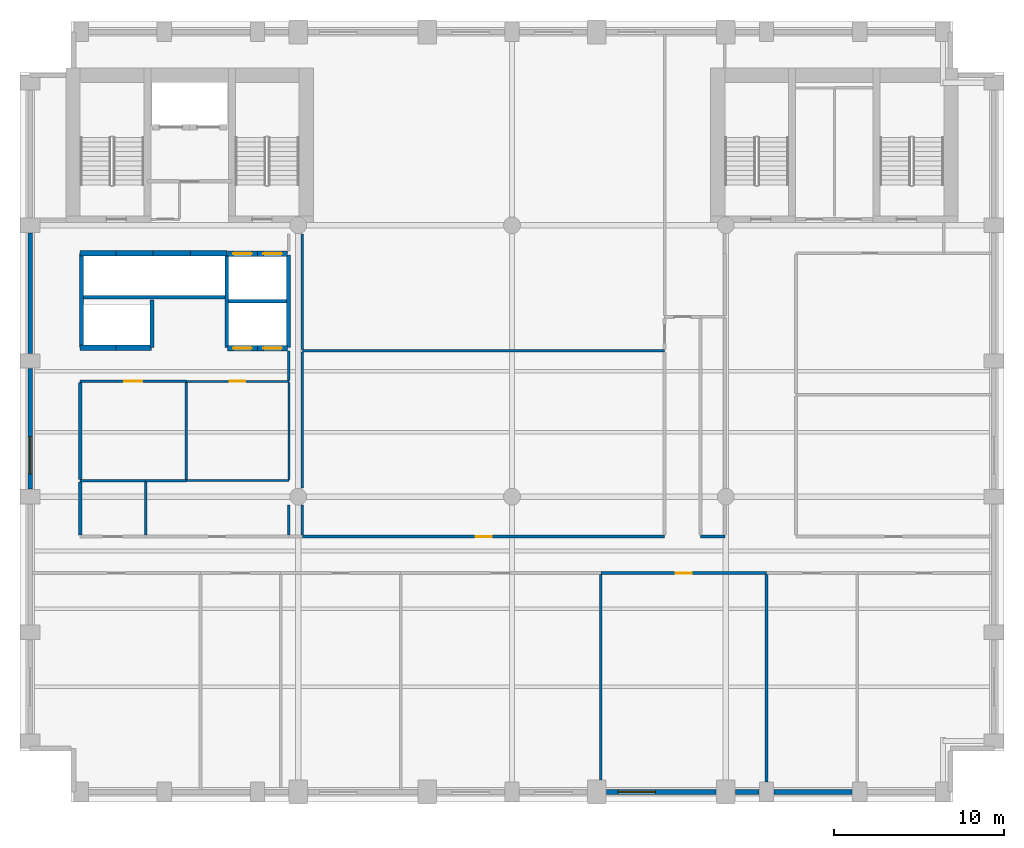
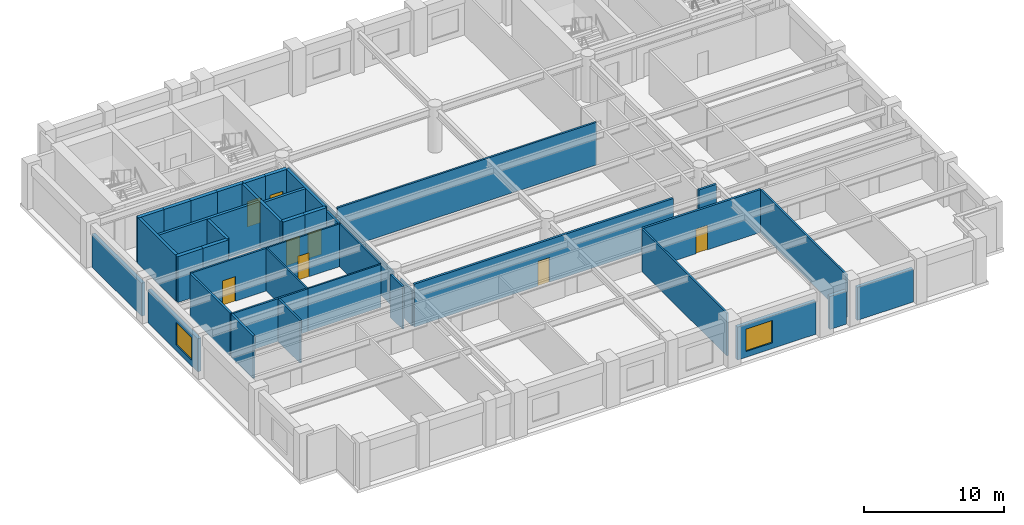
# One storey, part 3 of 8: 42 walls, 8 doors, 2 windows, 10 openings.
"""IFC4 building model written with IfcOpenShell, lengths in metres."""

from ifc_helpers import new_model, si_unit, direction, frame, frame_2d, origin, place, context, subcontext, project, spatial, rectangle, extrude, material, layer, layer_set, type_object, element, fill, save


model = new_model("IFC4")

# Units and contexts
model_context = context("Model", 3, precision=1e-05, world=origin(), true_north=direction((0.0, 1.0)))
body_context = subcontext(model_context, "Body", "Model", "MODEL_VIEW")
ifc_project = project(units=[si_unit("LENGTHUNIT", "METRE"), si_unit("AREAUNIT", "SQUARE_METRE"), si_unit("VOLUMEUNIT", "CUBIC_METRE"), si_unit("PLANEANGLEUNIT", "RADIAN"), si_unit("MASSUNIT", "GRAM", prefix="KILO")], contexts=[model_context])

# Site, building, storey
site_placement = place(None, origin())
site = spatial("IfcSite", under=ifc_project, at=site_placement, CompositionType="ELEMENT")
building_placement = place(site_placement, origin())
building = spatial("IfcBuilding", under=site, at=building_placement, Name="Sulina Concourse Tower", CompositionType="ELEMENT")
storey_placement = place(building_placement, frame((0.0, 0.0, 124.60009765625)))
storey = spatial("IfcBuildingStorey", under=building, at=storey_placement, Name="L30", CompositionType="ELEMENT", Elevation=124.60009765625)

# Walls
ifc_material_1 = material(Name="Concrete C50/60", Category="concrete")
ifc_layer_1 = layer(ifc_material_1, 0.219970703125)
ifc_layer_set_1 = layer_set([ifc_layer_1], Name="Concrete C50/60")
wall_type_1 = type_object("IfcWallType", Name="Core Lift Hoistway Divider Wall 220mm", PredefinedType="SOLIDWALL", material=ifc_layer_set_1)
wall_1_placement = place(storey_placement, frame((3.550048828125, 29.75, 0.0), z_axis=(0.0, 0.0, 1.0), x_axis=(1.0, 0.0, 0.0)))
element("IfcWall", 1, at=wall_1_placement, inside=storey, type_object=wall_type_1, Name="L30 shaft divider wall HW-LP3-S", PredefinedType="SOLIDWALL", context=body_context, shape_type="SweptSolid", body=[
    extrude(rectangle(XDim=8.64990234375, YDim=0.219970703125, at=frame_2d((4.324951171875, 0.0))), origin(), (0.0, 0.0, 1.0), 4.0),
])
wall_2_placement = place(storey_placement, frame((3.6298828125, 26.800048828125, 0.0), z_axis=(0.0, 0.0, 1.0), x_axis=(0.0, 1.0, 0.0)))
element("IfcWall", 2, at=wall_2_placement, inside=storey, type_object=wall_type_1, Name="L30 shaft divider wall HW-LP3-W", PredefinedType="SOLIDWALL", context=body_context, shape_type="SweptSolid", body=[
    extrude(rectangle(XDim=5.550048828125, YDim=0.219970703125, at=frame_2d((2.77490234375, 0.0))), origin(), (0.0, 0.0, 1.0), 4.0),
])
wall_3_placement = place(storey_placement, frame((7.780029296875, 26.800048828125, 0.0), z_axis=(0.0, 0.0, 1.0), x_axis=(0.0, 1.0, 0.0)))
element("IfcWall", 3, at=wall_3_placement, inside=storey, type_object=wall_type_1, Name="L30 shaft divider wall HW-EXP-E", PredefinedType="SOLIDWALL", context=body_context, shape_type="SweptSolid", body=[
    extrude(rectangle(XDim=2.800048828125, YDim=0.219970703125, at=frame_2d((1.39990234375, 0.0))), origin(), (0.0, 0.0, 1.0), 4.0),
])
for number, where, z_axis, x_axis, name in (
    (4, (12.179931640625, 26.800048828125, 0.0), (0.0, 0.0, 1.0), (0.0, 1.0, 0.0), "L30 shaft divider wall HW-LP2-W"),
    (5, (15.820068359375, 26.800048828125, 0.0), (0.0, 0.0, 1.0), (0.0, 1.0, 0.0), "L30 shaft divider wall HW-LP2-E"),
):
    element("IfcWall", number, at=place(storey_placement, frame(where, z_axis=z_axis, x_axis=x_axis)), inside=storey, type_object=wall_type_1, Name=name, PredefinedType="SOLIDWALL", context=body_context, shape_type="SweptSolid", body=[
        extrude(rectangle(XDim=5.449951171875, YDim=0.219970703125, at=frame_2d((2.72509765625, 0.0))), origin(), (0.0, 0.0, 1.0), 4.0),
    ])
wall_4_placement = place(storey_placement, frame((12.300048828125, 29.52001953125, 0.0), z_axis=(0.0, 0.0, 1.0), x_axis=(1.0, 0.0, 0.0)))
element("IfcWall", 6, at=wall_4_placement, inside=storey, type_object=wall_type_1, Name="L30 shaft divider wall HW-LP2-M", PredefinedType="SOLIDWALL", context=body_context, shape_type="SweptSolid", body=[
    extrude(rectangle(XDim=3.39990234375, YDim=0.219970703125, at=frame_2d((1.699951171875, 0.0))), origin(), (0.0, 0.0, 1.0), 4.0),
])

# Wall, opening, door
ifc_material_2 = material(Name="Concrete C50/60", Category="concrete")
ifc_layer_2 = layer(ifc_material_2, 0.300048828125)
ifc_layer_set_2 = layer_set([ifc_layer_2], Name="Concrete C50/60")
wall_type_2 = type_object("IfcWallType", Name="Core Lift Hoistway Wall 300mm", PredefinedType="SOLIDWALL", material=ifc_layer_set_2)
wall_5_placement = place(storey_placement, frame((14.0, 26.75, 0.0), z_axis=(0.0, 0.0, 1.0), x_axis=(-1.0, 0.0, 0.0)))
wall_5 = element("IfcWall", 7, at=wall_5_placement, inside=storey, type_object=wall_type_2, Name="L30 hoistway enclosure wall LP-05", PredefinedType="SOLIDWALL", context=body_context, shape_type="SweptSolid", body=[
    extrude(rectangle(XDim=1.780029296875, YDim=0.300048828125, at=frame_2d((0.89013671875, 0.0))), origin(), (0.0, 0.0, 1.0), 4.0),
])
opening_1_placement = place(wall_5_placement, frame((0.340087890625, 0.0, 0.0)))
opening_1 = element("IfcOpeningElement", 8, at=opening_1_placement, cuts=wall_5, Name="Opening LD-01", PredefinedType="OPENING", context=body_context, shape_type="SweptSolid", body=[
    extrude(rectangle(XDim=1.10009765625, YDim=2.199951171875, at=frame_2d((0.550048828125, 1.10009765625))), frame((0.0, 0.159912109375, 0.0), z_axis=(0.0, -1.0, 0.0), x_axis=(1.0, 0.0, 0.0)), (0.0, 0.0, 1.0), 0.320068359375),
])
ifc_material_3 = material(Name="Stainless steel lift landing door", Category="steel")
ifc_layer_3 = layer(ifc_material_3, 0.050048828125)
ifc_layer_set_3 = layer_set([ifc_layer_3], Name="Stainless steel lift landing door")
door_type_1 = type_object("IfcDoorType", Name="Passenger Lift Sliding Landing Door 1100x2200", OperationType="SLIDING_TO_LEFT", PredefinedType="DOOR", material=ifc_layer_set_3)
door_1_placement = place(opening_1_placement, origin())
door_1 = element("IfcDoor", 9, at=door_1_placement, inside=storey, type_object=door_type_1, Name="L30 lift landing sliding door LP-05", OperationType="SLIDING_TO_LEFT", OverallHeight=2.199951171875, OverallWidth=1.10009765625, PredefinedType="DOOR", context=body_context, shape_type="SweptSolid", body=[
    extrude(rectangle(XDim=1.10009765625, YDim=2.199951171875, at=frame_2d((0.550048828125, 1.10009765625))), frame((0.0, 0.02490234375, 0.0), z_axis=(0.0, -1.0, 0.0), x_axis=(1.0, 0.0, 0.0)), (0.0, 0.0, 1.0), 0.050048828125),
])
fill(opening_1, door_1)

wall_6_placement = place(storey_placement, frame((15.780029296875, 26.75, 0.0), z_axis=(0.0, 0.0, 1.0), x_axis=(-1.0, 0.0, 0.0)))
wall_6 = element("IfcWall", 10, at=wall_6_placement, inside=storey, type_object=wall_type_2, Name="L30 hoistway enclosure wall LP-06", PredefinedType="SOLIDWALL", context=body_context, shape_type="SweptSolid", body=[
    extrude(rectangle(XDim=1.780029296875, YDim=0.300048828125, at=frame_2d((0.89013671875, 0.0))), origin(), (0.0, 0.0, 1.0), 4.0),
])
opening_2_placement = place(wall_6_placement, frame((0.340087890625, 0.0, 0.0)))
opening_2 = element("IfcOpeningElement", 11, at=opening_2_placement, cuts=wall_6, Name="Opening LD-01", PredefinedType="OPENING", context=body_context, shape_type="SweptSolid", body=[
    extrude(rectangle(XDim=1.10009765625, YDim=2.199951171875, at=frame_2d((0.550048828125, 1.10009765625))), frame((0.0, 0.159912109375, 0.0), z_axis=(0.0, -1.0, 0.0), x_axis=(1.0, 0.0, 0.0)), (0.0, 0.0, 1.0), 0.320068359375),
])
door_2_placement = place(opening_2_placement, origin())
door_2 = element("IfcDoor", 12, at=door_2_placement, inside=storey, type_object=door_type_1, Name="L30 lift landing sliding door LP-06", OperationType="SLIDING_TO_RIGHT", OverallHeight=2.199951171875, OverallWidth=1.10009765625, PredefinedType="DOOR", context=body_context, shape_type="SweptSolid", body=[
    extrude(rectangle(XDim=1.10009765625, YDim=2.199951171875, at=frame_2d((0.550048828125, 1.10009765625))), frame((0.0, 0.02490234375, 0.0), z_axis=(0.0, -1.0, 0.0), x_axis=(1.0, 0.0, 0.0)), (0.0, 0.0, 1.0), 0.050048828125),
])
fill(opening_2, door_2)

wall_7_placement = place(storey_placement, frame((12.219970703125, 32.320068359375, 0.0), z_axis=(0.0, 0.0, 1.0), x_axis=(1.0, 0.0, 0.0)))
wall_7 = element("IfcWall", 13, at=wall_7_placement, inside=storey, type_object=wall_type_2, Name="L30 hoistway enclosure wall LP-07", PredefinedType="SOLIDWALL", context=body_context, shape_type="SweptSolid", body=[
    extrude(rectangle(XDim=1.780029296875, YDim=0.300048828125, at=frame_2d((0.89013671875, 0.0))), origin(), (0.0, 0.0, 1.0), 4.0),
])
opening_3_placement = place(wall_7_placement, frame((0.340087890625, 0.0, 0.0)))
opening_3 = element("IfcOpeningElement", 14, at=opening_3_placement, cuts=wall_7, Name="Opening LD-01", PredefinedType="OPENING", context=body_context, shape_type="SweptSolid", body=[
    extrude(rectangle(XDim=1.10009765625, YDim=2.199951171875, at=frame_2d((0.550048828125, 1.10009765625))), frame((0.0, 0.159912109375, 0.0), z_axis=(0.0, -1.0, 0.0), x_axis=(1.0, 0.0, 0.0)), (0.0, 0.0, 1.0), 0.320068359375),
])
door_3_placement = place(opening_3_placement, origin())
door_3 = element("IfcDoor", 15, at=door_3_placement, inside=storey, type_object=door_type_1, Name="L30 lift landing sliding door LP-07", OperationType="SLIDING_TO_LEFT", OverallHeight=2.199951171875, OverallWidth=1.10009765625, PredefinedType="DOOR", context=body_context, shape_type="SweptSolid", body=[
    extrude(rectangle(XDim=1.10009765625, YDim=2.199951171875, at=frame_2d((0.550048828125, 1.10009765625))), frame((0.0, 0.02490234375, 0.0), z_axis=(0.0, -1.0, 0.0), x_axis=(1.0, 0.0, 0.0)), (0.0, 0.0, 1.0), 0.050048828125),
])
fill(opening_3, door_3)

wall_8_placement = place(storey_placement, frame((14.0, 32.320068359375, 0.0), z_axis=(0.0, 0.0, 1.0), x_axis=(1.0, 0.0, 0.0)))
wall_8 = element("IfcWall", 16, at=wall_8_placement, inside=storey, type_object=wall_type_2, Name="L30 hoistway enclosure wall LP-08", PredefinedType="SOLIDWALL", context=body_context, shape_type="SweptSolid", body=[
    extrude(rectangle(XDim=1.780029296875, YDim=0.300048828125, at=frame_2d((0.89013671875, 0.0))), origin(), (0.0, 0.0, 1.0), 4.0),
])
opening_4_placement = place(wall_8_placement, frame((0.340087890625, 0.0, 0.0)))
opening_4 = element("IfcOpeningElement", 17, at=opening_4_placement, cuts=wall_8, Name="Opening LD-01", PredefinedType="OPENING", context=body_context, shape_type="SweptSolid", body=[
    extrude(rectangle(XDim=1.10009765625, YDim=2.199951171875, at=frame_2d((0.550048828125, 1.10009765625))), frame((0.0, 0.159912109375, 0.0), z_axis=(0.0, -1.0, 0.0), x_axis=(1.0, 0.0, 0.0)), (0.0, 0.0, 1.0), 0.320068359375),
])
door_4_placement = place(opening_4_placement, origin())
door_4 = element("IfcDoor", 18, at=door_4_placement, inside=storey, type_object=door_type_1, Name="L30 lift landing sliding door LP-08", OperationType="SLIDING_TO_RIGHT", OverallHeight=2.199951171875, OverallWidth=1.10009765625, PredefinedType="DOOR", context=body_context, shape_type="SweptSolid", body=[
    extrude(rectangle(XDim=1.10009765625, YDim=2.199951171875, at=frame_2d((0.550048828125, 1.10009765625))), frame((0.0, 0.02490234375, 0.0), z_axis=(0.0, -1.0, 0.0), x_axis=(1.0, 0.0, 0.0)), (0.0, 0.0, 1.0), 0.050048828125),
])
fill(opening_4, door_4)

# Walls
wall_9_placement = place(storey_placement, frame((3.550048828125, 32.35009765625, 0.0), z_axis=(0.0, 0.0, 1.0), x_axis=(1.0, 0.0, 0.0)))
element("IfcWall", 19, at=wall_9_placement, inside=storey, type_object=wall_type_2, Name="L30 hoistway enclosure wall LP-09", PredefinedType="SOLIDWALL", context=body_context, shape_type="SweptSolid", body=[
    extrude(rectangle(XDim=2.099853515625, YDim=0.300048828125, at=frame_2d((1.0498046875, 0.0))), origin(), (0.0, 0.0, 1.0), 4.0),
])
wall_10_placement = place(storey_placement, frame((5.64990234375, 32.35009765625, 0.0), z_axis=(0.0, 0.0, 1.0), x_axis=(1.0, 0.0, 0.0)))
element("IfcWall", 20, at=wall_10_placement, inside=storey, type_object=wall_type_2, Name="L30 hoistway enclosure wall LP-10", PredefinedType="SOLIDWALL", context=body_context, shape_type="SweptSolid", body=[
    extrude(rectangle(XDim=2.2001953125, YDim=0.300048828125, at=frame_2d((1.10009765625, 0.0))), origin(), (0.0, 0.0, 1.0), 4.0),
])
wall_11_placement = place(storey_placement, frame((7.85009765625, 32.35009765625, 0.0), z_axis=(0.0, 0.0, 1.0), x_axis=(1.0, 0.0, 0.0)))
element("IfcWall", 21, at=wall_11_placement, inside=storey, type_object=wall_type_2, Name="L30 hoistway enclosure wall LP-11", PredefinedType="SOLIDWALL", context=body_context, shape_type="SweptSolid", body=[
    extrude(rectangle(XDim=2.199951171875, YDim=0.300048828125, at=frame_2d((1.10009765625, 0.0))), origin(), (0.0, 0.0, 1.0), 4.0),
])
wall_12_placement = place(storey_placement, frame((10.050048828125, 32.35009765625, 0.0), z_axis=(0.0, 0.0, 1.0), x_axis=(1.0, 0.0, 0.0)))
element("IfcWall", 22, at=wall_12_placement, inside=storey, type_object=wall_type_2, Name="L30 hoistway enclosure wall LP-12", PredefinedType="SOLIDWALL", context=body_context, shape_type="SweptSolid", body=[
    extrude(rectangle(XDim=2.14990234375, YDim=0.300048828125, at=frame_2d((1.074951171875, 0.0))), origin(), (0.0, 0.0, 1.0), 4.0),
])
wall_13_placement = place(storey_placement, frame((5.64990234375, 26.780029296875, 0.0), z_axis=(0.0, 0.0, 1.0), x_axis=(-1.0, 0.0, 0.0)))
element("IfcWall", 23, at=wall_13_placement, inside=storey, type_object=wall_type_2, Name="L30 hoistway enclosure wall EXP-1", PredefinedType="SOLIDWALL", context=body_context, shape_type="SweptSolid", body=[
    extrude(rectangle(XDim=2.099853515625, YDim=0.300048828125, at=frame_2d((1.0498046875, 0.0))), origin(), (0.0, 0.0, 1.0), 4.0),
])
wall_14_placement = place(storey_placement, frame((7.75, 26.780029296875, 0.0), z_axis=(0.0, 0.0, 1.0), x_axis=(-1.0, 0.0, 0.0)))
element("IfcWall", 24, at=wall_14_placement, inside=storey, type_object=wall_type_2, Name="L30 hoistway enclosure wall EXP-2", PredefinedType="SOLIDWALL", context=body_context, shape_type="SweptSolid", body=[
    extrude(rectangle(XDim=2.10009765625, YDim=0.300048828125, at=frame_2d((1.050048828125, 0.0))), origin(), (0.0, 0.0, 1.0), 4.0),
])
ifc_material_4 = material(Name="Gypsum board on steel stud", Category="steel")
ifc_layer_4 = layer(ifc_material_4, 0.14990234375)
ifc_layer_set_4 = layer_set([ifc_layer_4], Name="Gypsum board on steel stud")
wall_type_3 = type_object("IfcWallType", Name="Inter-Tenancy Acoustic Partition 150mm", PredefinedType="PARTITIONING", material=ifc_layer_set_4)
wall_15_placement = place(storey_placement, frame((3.550048828125, 18.949951171875, 0.0), z_axis=(0.0, 0.0, 1.0), x_axis=(1.0, 0.0, 0.0)))
element("IfcWall", 25, at=wall_15_placement, inside=storey, type_object=wall_type_3, Name="L30 interior partition 014", PredefinedType="PARTITIONING", context=body_context, shape_type="SweptSolid", body=[
    extrude(rectangle(XDim=3.849853515625, YDim=0.14990234375, at=frame_2d((1.9248046875, 0.0))), origin(), (0.0, 0.0, 1.0), 3.724853515625),
])
wall_16_placement = place(storey_placement, frame((7.39990234375, 18.949951171875, 0.0), z_axis=(0.0, 0.0, 1.0), x_axis=(1.0, 0.0, 0.0)))
element("IfcWall", 26, at=wall_16_placement, inside=storey, type_object=wall_type_3, Name="L30 interior partition 015", PredefinedType="PARTITIONING", context=body_context, shape_type="SweptSolid", body=[
    extrude(rectangle(XDim=2.400146484375, YDim=0.14990234375, at=frame_2d((1.2001953125, 0.0))), origin(), (0.0, 0.0, 1.0), 3.724853515625),
])

# Wall, opening, door
wall_17_placement = place(storey_placement, frame((3.550048828125, 24.800048828125, 0.0), z_axis=(0.0, 0.0, 1.0), x_axis=(1.0, 0.0, 0.0)))
wall_17 = element("IfcWall", 27, at=wall_17_placement, inside=storey, type_object=wall_type_3, Name="L30 interior partition 018", PredefinedType="PARTITIONING", context=body_context, shape_type="SweptSolid", body=[
    extrude(rectangle(XDim=6.25, YDim=0.14990234375, at=frame_2d((3.125, 0.0))), origin(), (0.0, 0.0, 1.0), 3.724853515625),
])
opening_5_placement = place(wall_17_placement, frame((2.60009765625, 0.0, 0.0)))
opening_5 = element("IfcOpeningElement", 28, at=opening_5_placement, cuts=wall_17, Name="Opening DR-37", PredefinedType="OPENING", context=body_context, shape_type="SweptSolid", body=[
    extrude(rectangle(XDim=1.050048828125, YDim=2.14990234375, at=frame_2d((0.52490234375, 1.074951171875))), frame((0.0, 0.0849609375, 0.0), z_axis=(0.0, -1.0, 0.0), x_axis=(1.0, 0.0, 0.0)), (0.0, 0.0, 1.0), 0.169921875),
])
ifc_material_5 = material(Name="Oak-veneered fire door leaf")
ifc_layer_5 = layer(ifc_material_5, 0.050048828125)
ifc_layer_set_5 = layer_set([ifc_layer_5], Name="Oak-veneered fire door leaf")
door_type_2 = type_object("IfcDoorType", Name="Tenant Suite Entrance Fire Door 1050x2150", OperationType="NOTDEFINED", PredefinedType="DOOR", material=ifc_layer_set_5)
door_5_placement = place(opening_5_placement, origin())
door_5 = element("IfcDoor", 29, at=door_5_placement, inside=storey, type_object=door_type_2, Name="L30 interior door L30-LR-MRG1", OperationType="SINGLE_SWING_LEFT", OverallHeight=2.14990234375, OverallWidth=1.050048828125, PredefinedType="DOOR", context=body_context, shape_type="SweptSolid", body=[
    extrude(rectangle(XDim=1.050048828125, YDim=2.14990234375, at=frame_2d((0.52490234375, 1.074951171875))), frame((0.0, 0.02490234375, 0.0), z_axis=(0.0, -1.0, 0.0), x_axis=(1.0, 0.0, 0.0)), (0.0, 0.0, 1.0), 0.050048828125),
])
fill(opening_5, door_5)

# Walls
wall_18_placement = place(storey_placement, frame((16.64990234375, 26.60009765625, 0.0), z_axis=(0.0, 0.0, 1.0), x_axis=(1.0, 0.0, 0.0)))
element("IfcWall", 30, at=wall_18_placement, inside=storey, type_object=wall_type_3, Name="L30 interior partition 020", PredefinedType="PARTITIONING", context=body_context, shape_type="SweptSolid", body=[
    extrude(rectangle(XDim=21.35009765625, YDim=0.14990234375, at=frame_2d((10.675048828125, 0.0))), origin(), (0.0, 0.0, 1.0), 3.724853515625),
])
wall_19_placement = place(storey_placement, frame((7.39990234375, 15.739990234375, 0.0), z_axis=(0.0, 0.0, 1.0), x_axis=(0.0, 1.0, 0.0)))
element("IfcWall", 31, at=wall_19_placement, inside=storey, type_object=wall_type_3, Name="L30 interior partition 031", PredefinedType="PARTITIONING", context=body_context, shape_type="SweptSolid", body=[
    extrude(rectangle(XDim=3.135009765625, YDim=0.14990234375, at=frame_2d((1.5673828125, 0.0))), origin(), (0.0, 0.0, 1.0), 3.724853515625),
])
wall_20_placement = place(storey_placement, frame((15.85009765625, 15.739990234375, 0.0), z_axis=(0.0, 0.0, 1.0), x_axis=(0.0, 1.0, 0.0)))
element("IfcWall", 32, at=wall_20_placement, inside=storey, type_object=wall_type_3, Name="L30 interior partition 036", PredefinedType="PARTITIONING", context=body_context, shape_type="SweptSolid", body=[
    extrude(rectangle(XDim=1.760009765625, YDim=0.14990234375, at=frame_2d((0.8798828125, 0.0))), origin(), (0.0, 0.0, 1.0), 3.724853515625),
])
wall_21_placement = place(storey_placement, frame((15.85009765625, 24.862548828125, 0.0), z_axis=(0.0, 0.0, 1.0), x_axis=(0.0, 1.0, 0.0)))
element("IfcWall", 33, at=wall_21_placement, inside=storey, type_object=wall_type_3, Name="L30 interior partition 038", PredefinedType="PARTITIONING", context=body_context, shape_type="SweptSolid", body=[
    extrude(rectangle(XDim=1.737548828125, YDim=0.14990234375, at=frame_2d((0.86865234375, 0.0))), origin(), (0.0, 0.0, 1.0), 3.724853515625),
])
wall_22_placement = place(storey_placement, frame((16.64990234375, 15.739990234375, 0.0), z_axis=(0.0, 0.0, 1.0), x_axis=(0.0, 1.0, 0.0)))
element("IfcWall", 34, at=wall_22_placement, inside=storey, type_object=wall_type_3, Name="L30 interior partition 040", PredefinedType="PARTITIONING", context=body_context, shape_type="SweptSolid", body=[
    extrude(rectangle(XDim=1.760009765625, YDim=0.14990234375, at=frame_2d((0.8798828125, 0.0))), origin(), (0.0, 0.0, 1.0), 3.06982421875),
])
wall_23_placement = place(storey_placement, frame((16.64990234375, 18.5, 0.0), z_axis=(0.0, 0.0, 1.0), x_axis=(0.0, 1.0, 0.0)))
element("IfcWall", 35, at=wall_23_placement, inside=storey, type_object=wall_type_3, Name="L30 interior partition 041", PredefinedType="PARTITIONING", context=body_context, shape_type="SweptSolid", body=[
    extrude(rectangle(XDim=8.02490234375, YDim=0.14990234375, at=frame_2d((4.012451171875, 0.0))), origin(), (0.0, 0.0, 1.0), 3.06982421875),
])
wall_24_placement = place(storey_placement, frame((16.64990234375, 26.675048828125, 0.0), z_axis=(0.0, 0.0, 1.0), x_axis=(0.0, 1.0, 0.0)))
element("IfcWall", 36, at=wall_24_placement, inside=storey, type_object=wall_type_3, Name="L30 interior partition 042", PredefinedType="PARTITIONING", context=body_context, shape_type="SweptSolid", body=[
    extrude(rectangle(XDim=6.824951171875, YDim=0.14990234375, at=frame_2d((3.41259765625, 0.0))), origin(), (0.0, 0.0, 1.0), 3.06982421875),
])
wall_25_placement = place(storey_placement, frame((34.239990234375, 1.300048828125, 0.0), z_axis=(0.0, 0.0, 1.0), x_axis=(0.0, 1.0, 0.0)))
element("IfcWall", 37, at=wall_25_placement, inside=storey, type_object=wall_type_3, Name="L30 interior partition 044", PredefinedType="PARTITIONING", context=body_context, shape_type="SweptSolid", body=[
    extrude(rectangle(XDim=12.10986328125, YDim=0.14990234375, at=frame_2d((6.054931640625, 0.0))), origin(), (0.0, 0.0, 1.0), 3.724853515625),
])
wall_26_placement = place(storey_placement, frame((44.0, 1.175048828125, 0.0), z_axis=(0.0, 0.0, 1.0), x_axis=(0.0, 1.0, 0.0)))
element("IfcWall", 38, at=wall_26_placement, inside=storey, type_object=wall_type_3, Name="L30 interior partition 054", PredefinedType="PARTITIONING", context=body_context, shape_type="SweptSolid", body=[
    extrude(rectangle(XDim=12.23486328125, YDim=0.14990234375, at=frame_2d((6.117431640625, 0.0))), origin(), (0.0, 0.0, 1.0), 3.724853515625),
])

# Wall, opening, door
ifc_material_6 = material(Name="Gypsum board on steel stud", Category="steel")
ifc_layer_6 = layer(ifc_material_6, 0.179931640625)
ifc_layer_set_6 = layer_set([ifc_layer_6], Name="Gypsum board on steel stud")
wall_type_4 = type_object("IfcWallType", Name="Protected Corridor & Riser Partition 180mm", PredefinedType="PARTITIONING", material=ifc_layer_set_6)
wall_27_placement = place(storey_placement, frame((34.239990234375, 13.5, 0.0), z_axis=(0.0, 0.0, 1.0), x_axis=(1.0, 0.0, 0.0)))
wall_27 = element("IfcWall", 39, at=wall_27_placement, inside=storey, type_object=wall_type_4, Name="L30 interior partition 005", PredefinedType="PARTITIONING", context=body_context, shape_type="SweptSolid", body=[
    extrude(rectangle(XDim=9.760009765625, YDim=0.179931640625, at=frame_2d((4.8798828125, 0.0))), origin(), (0.0, 0.0, 1.0), 3.724853515625),
])
opening_6_placement = place(wall_27_placement, frame((4.405029296875, 0.0, 0.0)))
opening_6 = element("IfcOpeningElement", 40, at=opening_6_placement, cuts=wall_27, Name="Opening DR-19", PredefinedType="OPENING", context=body_context, shape_type="SweptSolid", body=[
    extrude(rectangle(XDim=0.949951171875, YDim=2.14990234375, at=frame_2d((0.47509765625, 1.074951171875))), frame((0.0, 0.099853515625, 0.0), z_axis=(0.0, -1.0, 0.0), x_axis=(1.0, 0.0, 0.0)), (0.0, 0.0, 1.0), 0.199951171875),
])
ifc_material_7 = material(Name="Oak-veneered acoustic timber leaf", Category="wood")
ifc_layer_7 = layer(ifc_material_7, 0.050048828125)
ifc_layer_set_7 = layer_set([ifc_layer_7], Name="Oak-veneered acoustic timber leaf")
door_type_3 = type_object("IfcDoorType", Name="Cellular Office & Meeting Door 950x2150", OperationType="NOTDEFINED", PredefinedType="DOOR", material=ifc_layer_set_7)
door_6_placement = place(opening_6_placement, origin())
door_6 = element("IfcDoor", 41, at=door_6_placement, inside=storey, type_object=door_type_3, Name="L30 interior door L30-S04", OperationType="SINGLE_SWING_RIGHT", OverallHeight=2.14990234375, OverallWidth=0.949951171875, PredefinedType="DOOR", context=body_context, shape_type="SweptSolid", body=[
    extrude(rectangle(XDim=0.949951171875, YDim=2.14990234375, at=frame_2d((0.47509765625, 1.074951171875))), frame((0.0, 0.02490234375, 0.0), z_axis=(0.0, -1.0, 0.0), x_axis=(1.0, 0.0, 0.0)), (0.0, 0.0, 1.0), 0.050048828125),
])
fill(opening_6, door_6)

wall_28_placement = place(storey_placement, frame((16.64990234375, 15.64990234375, 0.0), z_axis=(0.0, 0.0, 1.0), x_axis=(1.0, 0.0, 0.0)))
wall_28 = element("IfcWall", 42, at=wall_28_placement, inside=storey, type_object=wall_type_4, Name="L30 interior partition 011", PredefinedType="PARTITIONING", context=body_context, shape_type="SweptSolid", body=[
    extrude(rectangle(XDim=21.35009765625, YDim=0.179931640625, at=frame_2d((10.675048828125, 0.0))), origin(), (0.0, 0.0, 1.0), 3.724853515625),
])
opening_7_placement = place(wall_28_placement, frame((10.199951171875, 0.0, 0.0)))
opening_7 = element("IfcOpeningElement", 43, at=opening_7_placement, cuts=wall_28, Name="Opening DR-19", PredefinedType="OPENING", context=body_context, shape_type="SweptSolid", body=[
    extrude(rectangle(XDim=0.949951171875, YDim=2.14990234375, at=frame_2d((0.47509765625, 1.074951171875))), frame((0.0, 0.099853515625, 0.0), z_axis=(0.0, -1.0, 0.0), x_axis=(1.0, 0.0, 0.0)), (0.0, 0.0, 1.0), 0.199951171875),
])
door_7_placement = place(opening_7_placement, origin())
door_7 = element("IfcDoor", 44, at=door_7_placement, inside=storey, type_object=door_type_3, Name="L30 interior door L30-NC1", OperationType="SINGLE_SWING_LEFT", OverallHeight=2.14990234375, OverallWidth=0.949951171875, PredefinedType="DOOR", context=body_context, shape_type="SweptSolid", body=[
    extrude(rectangle(XDim=0.949951171875, YDim=2.14990234375, at=frame_2d((0.47509765625, 1.074951171875))), frame((0.0, 0.02490234375, 0.0), z_axis=(0.0, -1.0, 0.0), x_axis=(1.0, 0.0, 0.0)), (0.0, 0.0, 1.0), 0.050048828125),
])
fill(opening_7, door_7)

# Walls
wall_29_placement = place(storey_placement, frame((40.10009765625, 15.64990234375, 0.0), z_axis=(0.0, 0.0, 1.0), x_axis=(1.0, 0.0, 0.0)))
element("IfcWall", 45, at=wall_29_placement, inside=storey, type_object=wall_type_4, Name="L30 interior partition 012", PredefinedType="PARTITIONING", context=body_context, shape_type="SweptSolid", body=[
    extrude(rectangle(XDim=1.449951171875, YDim=0.179931640625, at=frame_2d((0.72509765625, 0.0))), origin(), (0.0, 0.0, 1.0), 3.724853515625),
])
wall_30_placement = place(storey_placement, frame((3.550048828125, 15.739990234375, 0.0), z_axis=(0.0, 0.0, 1.0), x_axis=(0.0, 1.0, 0.0)))
element("IfcWall", 46, at=wall_30_placement, inside=storey, type_object=wall_type_4, Name="L30 interior partition 029", PredefinedType="PARTITIONING", context=body_context, shape_type="SweptSolid", body=[
    extrude(rectangle(XDim=3.135009765625, YDim=0.179931640625, at=frame_2d((1.5673828125, 0.0))), origin(), (0.0, 0.0, 1.0), 3.724853515625),
])
wall_31_placement = place(storey_placement, frame((3.550048828125, 19.02490234375, 0.0), z_axis=(0.0, 0.0, 1.0), x_axis=(0.0, 1.0, 0.0)))
element("IfcWall", 47, at=wall_31_placement, inside=storey, type_object=wall_type_4, Name="L30 interior partition 030", PredefinedType="PARTITIONING", context=body_context, shape_type="SweptSolid", body=[
    extrude(rectangle(XDim=5.7001953125, YDim=0.179931640625, at=frame_2d((2.85009765625, 0.0))), origin(), (0.0, 0.0, 1.0), 3.724853515625),
])

# Wall, opening, window
ifc_material_8 = material(Name="Precast concrete C50/60", Category="concrete")
ifc_layer_8 = layer(ifc_material_8, 0.280029296875)
ifc_layer_set_8 = layer_set([ifc_layer_8], Name="Precast concrete C50/60")
wall_type_5 = type_object("IfcWallType", Name="Typical Precast Masonry-Frame Facade Wall 280mm", PredefinedType="SOLIDWALL", material=ifc_layer_set_8)
wall_32_placement = place(storey_placement, frame((41.030029296875, 0.60009765625, 0.0), z_axis=(0.0, 0.0, 1.0), x_axis=(-1.0, 0.0, 0.0)))
wall_32 = element("IfcWall", 48, at=wall_32_placement, inside=storey, type_object=wall_type_5, Name="L30 exterior precast wall S7", PredefinedType="SOLIDWALL", context=body_context, shape_type="SweptSolid", body=[
    extrude(rectangle(XDim=6.4599609375, YDim=0.280029296875, at=frame_2d((3.22998046875, 0.0))), origin(), (0.0, 0.0, 1.0), 2.875),
])
opening_8_placement = place(wall_32_placement, frame((3.5732421875, 0.0, 0.5)))
opening_8 = element("IfcOpeningElement", 49, at=opening_8_placement, cuts=wall_32, Name="Opening WN-76", PredefinedType="OPENING", context=body_context, shape_type="SweptSolid", body=[
    extrude(rectangle(XDim=2.199951171875, YDim=1.949951171875, at=frame_2d((1.10009765625, 0.97509765625))), frame((0.0, 0.14990234375, 0.0), z_axis=(0.0, -1.0, 0.0), x_axis=(1.0, 0.0, 0.0)), (0.0, 0.0, 1.0), 0.300048828125),
])
ifc_material_9 = material(Name="Low-E solar double glazing in bronze aluminium", Category="aluminium")
window_type = type_object("IfcWindowType", Name="Recessed Spandrel Window 2200x1950", PartitioningType="DOUBLE_PANEL_VERTICAL", PredefinedType="WINDOW", material=ifc_material_9)
window_1_placement = place(opening_8_placement, origin())
window_1 = element("IfcWindow", 50, at=window_1_placement, inside=storey, type_object=window_type, Name="L30 punched window S7-1", OverallHeight=1.949951171875, OverallWidth=2.199951171875, PartitioningType="SINGLE_PANEL", PredefinedType="WINDOW", context=body_context, shape_type="SweptSolid", body=[
    extrude(rectangle(XDim=2.199951171875, YDim=1.949951171875, at=frame_2d((1.10009765625, 0.97509765625))), frame((0.0, 0.030029296875, 0.0), z_axis=(0.0, -1.0, 0.0), x_axis=(1.0, 0.0, 0.0)), (0.0, 0.0, 1.0), 0.06005859375),
])
fill(opening_8, window_1)

# Walls
wall_33_placement = place(storey_placement, frame((43.554931640625, 0.60009765625, 0.0), z_axis=(0.0, 0.0, 1.0), x_axis=(-1.0, 0.0, 0.0)))
element("IfcWall", 51, at=wall_33_placement, inside=storey, type_object=wall_type_5, Name="L30 exterior precast wall S8", PredefinedType="SOLIDWALL", context=body_context, shape_type="SweptSolid", body=[
    extrude(rectangle(XDim=1.385009765625, YDim=0.280029296875, at=frame_2d((0.6923828125, 0.0))), origin(), (0.0, 0.0, 1.0), 2.875),
])
wall_34_placement = place(storey_placement, frame((49.054931640625, 0.60009765625, 0.0), z_axis=(0.0, 0.0, 1.0), x_axis=(-1.0, 0.0, 0.0)))
element("IfcWall", 52, at=wall_34_placement, inside=storey, type_object=wall_type_5, Name="L30 exterior precast wall S9", PredefinedType="SOLIDWALL", context=body_context, shape_type="SweptSolid", body=[
    extrude(rectangle(XDim=4.60986328125, YDim=0.280029296875, at=frame_2d((2.304931640625, 0.0))), origin(), (0.0, 0.0, 1.0), 2.875),
])

# Wall, opening, window
wall_35_placement = place(storey_placement, frame((0.60009765625, 18.445068359375, 0.0), z_axis=(0.0, 0.0, 1.0), x_axis=(0.0, 1.0, 0.0)))
wall_35 = element("IfcWall", 53, at=wall_35_placement, inside=storey, type_object=wall_type_5, Name="L30 exterior precast wall W3", PredefinedType="SOLIDWALL", context=body_context, shape_type="SweptSolid", body=[
    extrude(rectangle(XDim=7.10986328125, YDim=0.280029296875, at=frame_2d((3.554931640625, 0.0))), origin(), (0.0, 0.0, 1.0), 2.875),
])
opening_9_placement = place(wall_35_placement, frame((0.9033203125, 0.0, 0.5)))
opening_9 = element("IfcOpeningElement", 54, at=opening_9_placement, cuts=wall_35, Name="Opening WN-76", PredefinedType="OPENING", context=body_context, shape_type="SweptSolid", body=[
    extrude(rectangle(XDim=2.199951171875, YDim=1.949951171875, at=frame_2d((1.10009765625, 0.97509765625))), frame((0.0, 0.14990234375, 0.0), z_axis=(0.0, -1.0, 0.0), x_axis=(1.0, 0.0, 0.0)), (0.0, 0.0, 1.0), 0.300048828125),
])
window_2_placement = place(opening_9_placement, origin())
window_2 = element("IfcWindow", 55, at=window_2_placement, inside=storey, type_object=window_type, Name="L30 punched window W3-1", OverallHeight=1.949951171875, OverallWidth=2.199951171875, PartitioningType="SINGLE_PANEL", PredefinedType="WINDOW", context=body_context, shape_type="SweptSolid", body=[
    extrude(rectangle(XDim=2.199951171875, YDim=1.949951171875, at=frame_2d((1.10009765625, 0.97509765625))), frame((0.0, 0.030029296875, 0.0), z_axis=(0.0, -1.0, 0.0), x_axis=(1.0, 0.0, 0.0)), (0.0, 0.0, 1.0), 0.06005859375),
])
fill(opening_9, window_2)

# Walls
wall_36_placement = place(storey_placement, frame((0.60009765625, 26.445068359375, 0.0), z_axis=(0.0, 0.0, 1.0), x_axis=(0.0, 1.0, 0.0)))
element("IfcWall", 56, at=wall_36_placement, inside=storey, type_object=wall_type_5, Name="L30 exterior precast wall W4", PredefinedType="SOLIDWALL", context=body_context, shape_type="SweptSolid", body=[
    extrude(rectangle(XDim=7.10986328125, YDim=0.280029296875, at=frame_2d((3.554931640625, 0.0))), origin(), (0.0, 0.0, 1.0), 2.875),
])
ifc_material_10 = material(Name="Gypsum board on steel stud", Category="steel")
ifc_layer_9 = layer(ifc_material_10, 0.125)
ifc_layer_set_9 = layer_set([ifc_layer_9], Name="Gypsum board on steel stud")
wall_type_6 = type_object("IfcWallType", Name="Wet-Area Moisture-Resistant Partition 125mm", PredefinedType="PARTITIONING", material=ifc_layer_set_9)
wall_37_placement = place(storey_placement, frame((9.800048828125, 18.949951171875, 0.0), z_axis=(0.0, 0.0, 1.0), x_axis=(1.0, 0.0, 0.0)))
element("IfcWall", 57, at=wall_37_placement, inside=storey, type_object=wall_type_6, Name="L30 interior partition 016", PredefinedType="PARTITIONING", context=body_context, shape_type="SweptSolid", body=[
    extrude(rectangle(XDim=6.050048828125, YDim=0.125, at=frame_2d((3.02490234375, 0.0))), origin(), (0.0, 0.0, 1.0), 3.724853515625),
])

# Wall, opening, door
wall_38_placement = place(storey_placement, frame((9.800048828125, 24.800048828125, 0.0), z_axis=(0.0, 0.0, 1.0), x_axis=(1.0, 0.0, 0.0)))
wall_38 = element("IfcWall", 58, at=wall_38_placement, inside=storey, type_object=wall_type_6, Name="L30 interior partition 019", PredefinedType="PARTITIONING", context=body_context, shape_type="SweptSolid", body=[
    extrude(rectangle(XDim=6.050048828125, YDim=0.125, at=frame_2d((3.02490234375, 0.0))), origin(), (0.0, 0.0, 1.0), 3.724853515625),
])
opening_10_placement = place(wall_38_placement, frame((2.574951171875, 0.0, 0.0)))
opening_10 = element("IfcOpeningElement", 59, at=opening_10_placement, cuts=wall_38, Name="Opening DR-21", PredefinedType="OPENING", context=body_context, shape_type="SweptSolid", body=[
    extrude(rectangle(XDim=0.89990234375, YDim=2.10009765625, at=frame_2d((0.449951171875, 1.050048828125))), frame((0.0, 0.072509765625, 0.0), z_axis=(0.0, -1.0, 0.0), x_axis=(1.0, 0.0, 0.0)), (0.0, 0.0, 1.0), 0.14501953125),
])
ifc_material_11 = material(Name="Oak-veneered fire door leaf")
ifc_layer_10 = layer(ifc_material_11, 0.050048828125)
ifc_layer_set_10 = layer_set([ifc_layer_10], Name="Oak-veneered fire door leaf")
door_type_4 = type_object("IfcDoorType", Name="Restroom & Service Door 900x2100", OperationType="NOTDEFINED", PredefinedType="DOOR", material=ifc_layer_set_10)
door_8_placement = place(opening_10_placement, origin())
door_8 = element("IfcDoor", 60, at=door_8_placement, inside=storey, type_object=door_type_4, Name="L30 interior door L30-LR-MRG2", OperationType="SINGLE_SWING_RIGHT", OverallHeight=2.10009765625, OverallWidth=0.89990234375, PredefinedType="DOOR", context=body_context, shape_type="SweptSolid", body=[
    extrude(rectangle(XDim=0.89990234375, YDim=2.10009765625, at=frame_2d((0.449951171875, 1.050048828125))), frame((0.0, 0.02490234375, 0.0), z_axis=(0.0, -1.0, 0.0), x_axis=(1.0, 0.0, 0.0)), (0.0, 0.0, 1.0), 0.050048828125),
])
fill(opening_10, door_8)

# Walls
wall_39_placement = place(storey_placement, frame((9.800048828125, 19.02490234375, 0.0), z_axis=(0.0, 0.0, 1.0), x_axis=(0.0, 1.0, 0.0)))
element("IfcWall", 61, at=wall_39_placement, inside=storey, type_object=wall_type_6, Name="L30 interior partition 033", PredefinedType="PARTITIONING", context=body_context, shape_type="SweptSolid", body=[
    extrude(rectangle(XDim=5.7001953125, YDim=0.125, at=frame_2d((2.85009765625, 0.0))), origin(), (0.0, 0.0, 1.0), 3.724853515625),
])
wall_40_placement = place(storey_placement, frame((15.85009765625, 19.012451171875, 0.0), z_axis=(0.0, 0.0, 1.0), x_axis=(0.0, 1.0, 0.0)))
element("IfcWall", 62, at=wall_40_placement, inside=storey, type_object=wall_type_6, Name="L30 interior partition 037", PredefinedType="PARTITIONING", context=body_context, shape_type="SweptSolid", body=[
    extrude(rectangle(XDim=5.72509765625, YDim=0.125, at=frame_2d((2.862548828125, 0.0))), origin(), (0.0, 0.0, 1.0), 3.724853515625),
])

save(model, "model.ifc")
